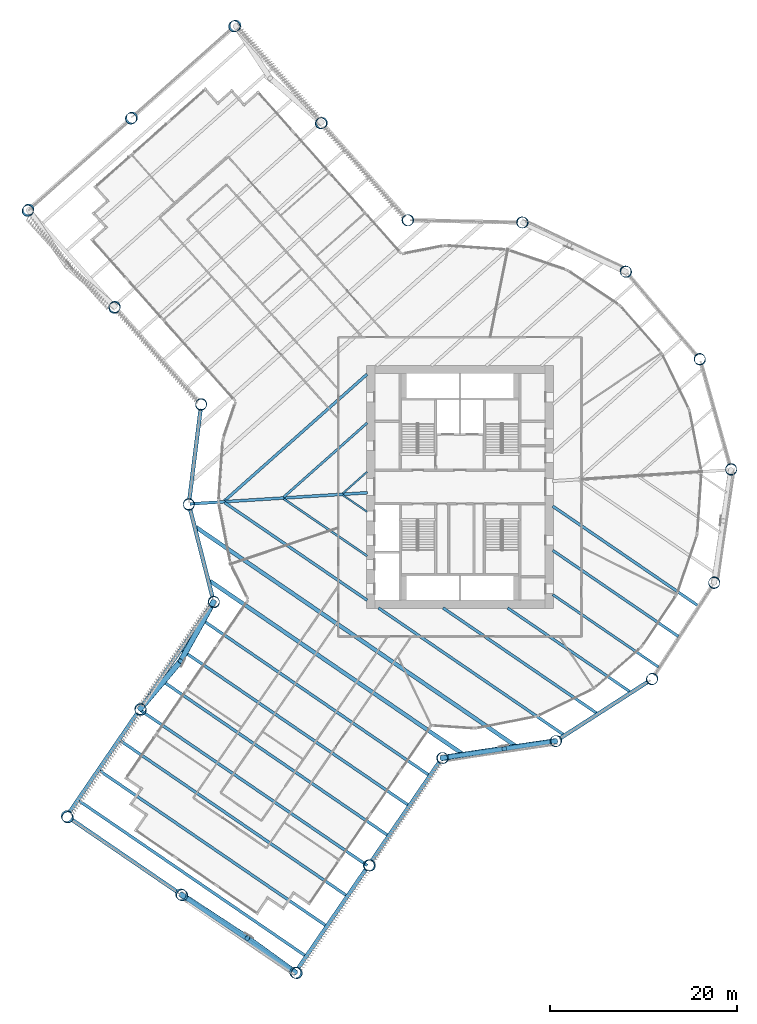
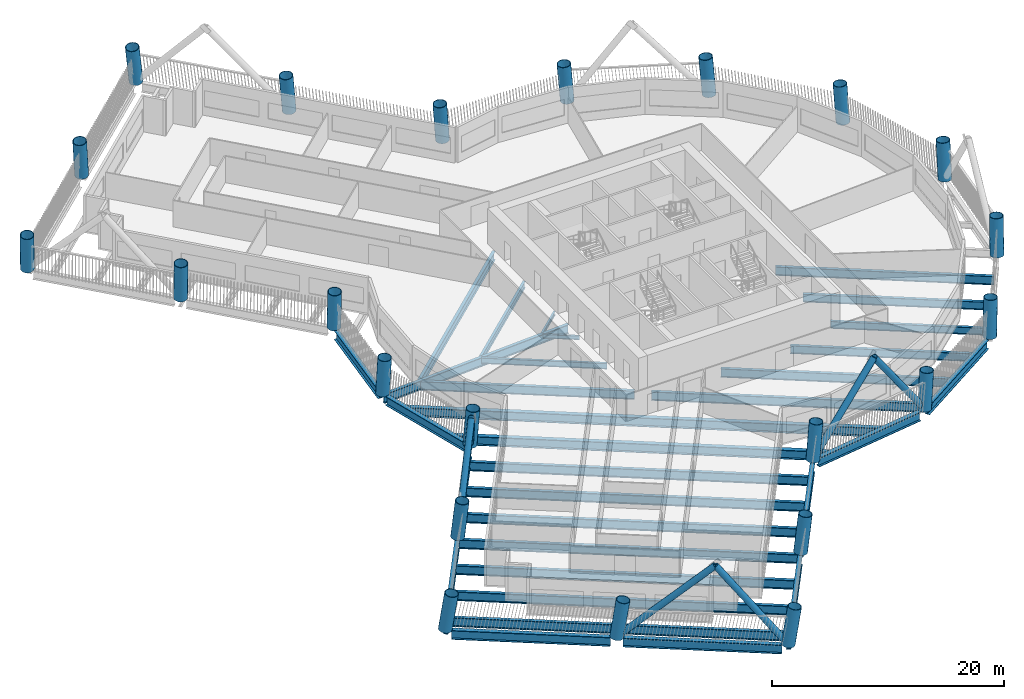
# One storey, part 1 of 22: 32 beams, 22 columns, 6 members.
"""IFC4 building model written with IfcOpenShell, lengths in metres."""

import ifcopenshell
import ifcopenshell.guid

model = None  # the IFC model being written
_history = None  # IfcOwnerHistory: only IFC2X3 demands one
_inside = {}  # id of a spatial element -> (the spatial element, [elements in it])
_under = {}  # id of a project, library or spatial element -> (it, [spatial elements below it])
_declared = {}  # id of a project -> (the project, [libraries it declares])
_typed = {}  # id of a type object -> (the type object, [elements of that type])
_made_of = {}  # id of a material, layer set ... -> (it, [elements and type objects made of it])


def new_model(schema):
    """Start an empty IFC model of exactly this schema.

    Asked for "IFC4X3", IfcOpenShell would pick the latest addendum, in which some entities
    have other attributes; the version numbers below select the first issue.
    IFC2X3 requires an IfcOwnerHistory on every rooted entity: one is made here for all.
    """
    global model, _history
    if schema == "IFC4X3":
        model = ifcopenshell.file(schema_version=(4, 3, 0, 0))
    else:
        model = ifcopenshell.file(schema=schema)
    _inside.clear()
    _under.clear()
    _declared.clear()
    _typed.clear()
    _made_of.clear()
    _history = None
    if model.schema == "IFC2X3":
        org = make("IfcOrganization", Name="unknown")
        user = make(
            "IfcPersonAndOrganization",
            ThePerson=make("IfcPerson", FamilyName="unknown"),
            TheOrganization=org,
        )
        app = make(
            "IfcApplication",
            ApplicationDeveloper=org,
            Version="unknown",
            ApplicationFullName="unknown",
            ApplicationIdentifier="unknown",
        )
        _history = make(
            "IfcOwnerHistory",
            OwningUser=user,
            OwningApplication=app,
            ChangeAction="ADDED",
            CreationDate=0,
        )
    return model


def make(cls, **values):
    """One entity of the class cls with the attributes given. An attribute that is None is left unset."""
    return model.create_entity(
        cls, **{name: value for name, value in values.items() if value is not None}
    )


def rooted(cls, **values):
    """An entity with a GlobalId (a new one), such as an element, a storey or a relation."""
    return make(cls, GlobalId=ifcopenshell.guid.new(), OwnerHistory=_history, **values)


def si_unit(unit_type, name, prefix=None):
    """IfcSIUnit, for example si_unit("LENGTHUNIT", "METRE", prefix="MILLI")."""
    return make("IfcSIUnit", UnitType=unit_type, Prefix=prefix, Name=name)


def assignment(units):
    """IfcUnitAssignment: the units of a project."""
    return None if units is None else make("IfcUnitAssignment", Units=units)


def point(xyz):
    """IfcCartesianPoint."""
    return None if xyz is None else make("IfcCartesianPoint", Coordinates=xyz)


def direction(xyz):
    """IfcDirection."""
    return None if xyz is None else make("IfcDirection", DirectionRatios=xyz)


def frame(location, z_axis=None, x_axis=None):
    """IfcAxis2Placement3D, a coordinate frame: its origin and axes. An axis left out is left unset."""
    return make(
        "IfcAxis2Placement3D",
        Location=point(location),
        Axis=direction(z_axis),
        RefDirection=direction(x_axis),
    )


def frame_2d(location, x_axis=None):
    """IfcAxis2Placement2D, a coordinate frame in the plane: its origin and x axis."""
    return make(
        "IfcAxis2Placement2D", Location=point(location), RefDirection=direction(x_axis)
    )


def origin():
    """The frame at (0, 0, 0) with its axes left unset."""
    return frame((0.0, 0.0, 0.0))


def origin_2d():
    """The frame at (0, 0) in the plane with its x axis left unset."""
    return frame_2d((0.0, 0.0))


def place(relative_to, where):
    """IfcLocalPlacement: puts the frame where relative to a parent placement (None: the world)."""
    return make(
        "IfcLocalPlacement", PlacementRelTo=relative_to, RelativePlacement=where
    )


def context(
    kind, dimensions, precision=None, world=None, true_north=None, identifier=None
):
    """IfcGeometricRepresentationContext, for example the 3D "Model" context."""
    return make(
        "IfcGeometricRepresentationContext",
        ContextIdentifier=identifier,
        ContextType=kind,
        CoordinateSpaceDimension=dimensions,
        Precision=precision,
        WorldCoordinateSystem=world,
        TrueNorth=true_north,
    )


def subcontext(parent, identifier, kind, view, scale=None):
    """IfcGeometricRepresentationSubContext, for example "Body" below "Model"."""
    return make(
        "IfcGeometricRepresentationSubContext",
        ContextIdentifier=identifier,
        ContextType=kind,
        ParentContext=parent,
        TargetScale=scale,
        TargetView=view,
    )


def project(units=None, contexts=None):
    """IfcProject with its units and contexts."""
    return rooted(
        "IfcProject",
        Name="project",
        RepresentationContexts=contexts,
        UnitsInContext=assignment(units),
    )


def spatial(cls, under=None, at=None, **own):
    """A site, building, storey or space (cls), placed at a placement, below another one or the project."""
    s = rooted(cls, ObjectPlacement=at, **own)
    if under is not None:
        _under.setdefault(under.id(), (under, []))[1].append(s)
    return s


def profile(cls, at=None, kind="AREA", **sizes):
    """A parametric profile (cls). Its sizes go by their IFC names, for example OverallWidth=200.0."""
    return make(cls, ProfileType=kind, Position=at, **sizes)


def hollow_circle(**sizes):
    """IfcCircleHollowProfileDef."""
    return profile("IfcCircleHollowProfileDef", **sizes)


def i_section(**sizes):
    """IfcIShapeProfileDef."""
    return profile("IfcIShapeProfileDef", **sizes)


def extrude(swept, where, along, depth):
    """IfcExtrudedAreaSolid: the profile swept, set in the frame where, extruded along a direction by depth."""
    return make(
        "IfcExtrudedAreaSolid",
        SweptArea=swept,
        Position=where,
        ExtrudedDirection=direction(along),
        Depth=depth,
    )


def shape(context_of_items, identifier, shape_type, items):
    """IfcShapeRepresentation: the items that make up one representation, for example the "Body"."""
    return make(
        "IfcShapeRepresentation",
        ContextOfItems=context_of_items,
        RepresentationIdentifier=identifier,
        RepresentationType=shape_type,
        Items=items,
    )


def material(Name=None, Category=None):
    """IfcMaterial."""
    return make("IfcMaterial", Name=Name, Category=Category)


def material_profile(
    of_material, cross_section, Name=None, Category=None, Priority=None
):
    """IfcMaterialProfile: a cross section and its material."""
    return make(
        "IfcMaterialProfile",
        Name=Name,
        Material=of_material,
        Profile=cross_section,
        Priority=Priority,
        Category=Category,
    )


def profile_set(profiles, Name=None, composite=None):
    """IfcMaterialProfileSet."""
    return make(
        "IfcMaterialProfileSet",
        Name=Name,
        MaterialProfiles=profiles,
        CompositeProfile=composite,
    )


def made_of(thing, what):
    """Note that an element or type object is made of a material, layer set ...; save() writes the relation."""
    if what is not None:
        _made_of.setdefault(what.id(), (what, []))[1].append(thing)
    return thing


def type_object(cls, material=None, **own):
    """A type object (cls), such as IfcWallType, which elements share."""
    return made_of(rooted(cls, **own), material)


def element(
    cls,
    number,
    at=None,
    inside=None,
    cuts=None,
    type_object=None,
    material=None,
    context=None,
    identifier="Body",
    shape_type=None,
    held_by="IfcProductDefinitionShape",
    body=None,
    shapes=None,
    **own,
):
    """One element of the class cls, such as IfcWall. Its Tag is "e" and its number.

    at: its placement. inside: the storey or other place that contains it. cuts: it is an
    opening in that element (IfcRelVoidsElement). A single representation is given by context,
    identifier, shape_type and body (its items); several are given by shapes. held_by: the class
    of the entity that holds the representations. save() writes the other relations.
    """
    e = rooted(cls, Tag="e%d" % number, ObjectPlacement=at, **own)
    if body is not None:
        shapes = [shape(context, identifier, shape_type, body)]
    if shapes is not None:
        e.Representation = make(held_by, Representations=shapes)
    if inside is not None:
        _inside.setdefault(inside.id(), (inside, []))[1].append(e)
    if cuts is not None:
        rooted(
            "IfcRelVoidsElement", RelatingBuildingElement=cuts, RelatedOpeningElement=e
        )
    if type_object is not None:
        _typed.setdefault(type_object.id(), (type_object, []))[1].append(e)
    return made_of(e, material)


def aggregate(whole, parts):
    """IfcRelAggregates: a whole, such as a stair, and the parts it consists of."""
    return rooted("IfcRelAggregates", RelatingObject=whole, RelatedObjects=parts)


def save(model, path):
    """Write the relations noted so far, then the file.

    IfcRelAggregates (storeys below a building ...), IfcRelContainedInSpatialStructure (elements
    in a storey), IfcRelDefinesByType, IfcRelAssociatesMaterial and IfcRelDeclares: one each for
    every whole, place, type object, material and project.
    """
    for whole, parts in _under.values():
        aggregate(whole, parts)
    for where, things in _inside.values():
        rooted(
            "IfcRelContainedInSpatialStructure",
            RelatedElements=things,
            RelatingStructure=where,
        )
    for kind, things in _typed.values():
        rooted("IfcRelDefinesByType", RelatedObjects=things, RelatingType=kind)
    for what, things in _made_of.values():
        rooted("IfcRelAssociatesMaterial", RelatedObjects=things, RelatingMaterial=what)
    for by, libraries in _declared.values():
        rooted("IfcRelDeclares", RelatingContext=by, RelatedDefinitions=libraries)
    model.write(path)


model = new_model("IFC4")

# Units and contexts
model_context = context("Model", 3, precision=1e-05, world=origin(), true_north=direction((0.0, 1.0)))
body_context = subcontext(model_context, "Body", "Model", "MODEL_VIEW")
ifc_project = project(units=[si_unit("LENGTHUNIT", "METRE"), si_unit("AREAUNIT", "SQUARE_METRE"), si_unit("VOLUMEUNIT", "CUBIC_METRE"), si_unit("PLANEANGLEUNIT", "RADIAN"), si_unit("MASSUNIT", "GRAM", prefix="KILO")], contexts=[model_context])

# Site, building, storey
site_placement = place(None, origin())
site = spatial("IfcSite", under=ifc_project, at=site_placement, CompositionType="ELEMENT")
building_placement = place(site_placement, origin())
building = spatial("IfcBuilding", under=site, at=building_placement, Name="Tarsis Ring Headquarters", CompositionType="ELEMENT")
storey_placement = place(building_placement, frame((0.0, 0.0, 55.60009765625)))
storey = spatial("IfcBuildingStorey", under=building, at=storey_placement, Name="L11", CompositionType="ELEMENT", Elevation=55.60009765625)

# Columns
ifc_material_1 = material(Name="Structural steel S460", Category="steel")
ifc_material_profile_1 = material_profile(ifc_material_1, hollow_circle(Radius=0.609619140625, WallThickness=0.050048828125, at=origin_2d()), Name="CHS 1219x50")
ifc_profile_set_1 = profile_set([ifc_material_profile_1], Name="Structural steel S460")
column_type = type_object("IfcColumnType", Name="XC Exo column CHS 1219x50", PredefinedType="COLUMN", material=ifc_profile_set_1)
column_1_placement = place(storey_placement, frame((-28.9912109375, -1.823974609375, 0.00048828125), z_axis=(0.005306686196, -0.077602481671, 0.99697025729), x_axis=(0.997670054789, 0.068223615975, 0.0)))
element("IfcColumn", 1, at=column_1_placement, inside=storey, type_object=column_type, Name="Exo column XC1 F1", PredefinedType="COLUMN", context=body_context, shape_type="SweptSolid", body=[
    extrude(hollow_circle(Radius=0.609619140625, WallThickness=0.050048828125, at=origin_2d()), origin(), (0.0, 0.0, 1.0), 3.91064453125),
])
column_2_placement = place(storey_placement, frame((-26.333251953125, -12.2626953125, 0.00048828125), z_axis=(0.033151338274, -0.070298318073, 0.996974992287), x_axis=(0.904472523343, 0.426531891559, 0.0)))
element("IfcColumn", 2, at=column_2_placement, inside=storey, type_object=column_type, Name="Exo column XC1 AK", PredefinedType="COLUMN", context=body_context, shape_type="SweptSolid", body=[
    extrude(hollow_circle(Radius=0.609619140625, WallThickness=0.050048828125, at=origin_2d()), origin(), (0.0, 0.0, 1.0), 3.910400390625),
])
column_3_placement = place(storey_placement, frame((-34.1875, -23.733642578125, 0.000732421875), z_axis=(0.063794027443, -0.090867590309, 0.993817590453), x_axis=(0.818441069353, 0.574590476772, 0.0)))
element("IfcColumn", 3, at=column_3_placement, inside=storey, type_object=column_type, Name="Exo column XC1 AI1", PredefinedType="COLUMN", context=body_context, shape_type="SweptSolid", body=[
    extrude(hollow_circle(Radius=0.609619140625, WallThickness=0.050048828125, at=origin_2d()), origin(), (0.0, 0.0, 1.0), 3.922607421875),
])
column_4_placement = place(storey_placement, frame((-42.041748046875, -35.20458984375, 0.000732421875), z_axis=(0.094057776902, -0.111159190884, 0.989341583522), x_axis=(0.763386285369, 0.645942241466, 0.0)))
element("IfcColumn", 4, at=column_4_placement, inside=storey, type_object=column_type, Name="Exo column XC1 AT1", PredefinedType="COLUMN", context=body_context, shape_type="SweptSolid", body=[
    extrude(hollow_circle(Radius=0.609619140625, WallThickness=0.050048828125, at=origin_2d()), origin(), (0.0, 0.0, 1.0), 3.940185546875),
])
column_5_placement = place(storey_placement, frame((-29.830078125, -43.566162109375, 0.000732421875), z_axis=(0.1162055018, -0.078689851539, 0.990103120193), x_axis=(0.56070159, 0.828017950875, 0.0)))
element("IfcColumn", 5, at=column_5_placement, inside=storey, type_object=column_type, Name="Exo column XC1 AT2", PredefinedType="COLUMN", context=body_context, shape_type="SweptSolid", body=[
    extrude(hollow_circle(Radius=0.609619140625, WallThickness=0.050048828125, at=origin_2d()), origin(), (0.0, 0.0, 1.0), 3.937255859375),
])
column_6_placement = place(storey_placement, frame((-17.618408203125, -51.927490234375, 0.000732421875), z_axis=(0.138173493021, -0.046099138479, 0.989334602275), x_axis=(0.316482982785, 0.948598187647, 0.0)))
element("IfcColumn", 6, at=column_6_placement, inside=storey, type_object=column_type, Name="Exo column XC1 AT3", PredefinedType="COLUMN", context=body_context, shape_type="SweptSolid", body=[
    extrude(hollow_circle(Radius=0.609619140625, WallThickness=0.050048828125, at=origin_2d()), origin(), (0.0, 0.0, 1.0), 3.940185546875),
])
column_7_placement = place(storey_placement, frame((-9.76416015625, -40.45654296875, 0.000732421875), z_axis=(0.108106899886, -0.025517460537, 0.993811731368), x_axis=(0.229726343064, 0.973255263177, 0.0)))
element("IfcColumn", 7, at=column_7_placement, inside=storey, type_object=column_type, Name="Exo column XC1 AO1", PredefinedType="COLUMN", context=body_context, shape_type="SweptSolid", body=[
    extrude(hollow_circle(Radius=0.609619140625, WallThickness=0.050048828125, at=origin_2d()), origin(), (0.0, 0.0, 1.0), 3.922607421875),
])
column_8_placement = place(storey_placement, frame((-1.909912109375, -28.985595703125, 0.00048828125), z_axis=(0.077602700813, -0.004744815174, 0.996973072633), x_axis=(0.06102842972, 0.998136028187, 0.0)))
element("IfcColumn", 8, at=column_8_placement, inside=storey, type_object=column_type, Name="Exo column XC1 AJ", PredefinedType="COLUMN", context=body_context, shape_type="SweptSolid", body=[
    extrude(hollow_circle(Radius=0.609619140625, WallThickness=0.050048828125, at=origin_2d()), origin(), (0.0, 0.0, 1.0), 3.910400390625),
])
column_9_placement = place(storey_placement, frame((10.20751953125, -27.196044921875, 0.00048828125), z_axis=(0.072670419362, 0.027719644499, 0.996970727483), x_axis=(-0.356395846818, 0.934335057873, 0.0)))
element("IfcColumn", 9, at=column_9_placement, inside=storey, type_object=column_type, Name="Exo column XC1 R1", PredefinedType="COLUMN", context=body_context, shape_type="SweptSolid", body=[
    extrude(hollow_circle(Radius=0.609619140625, WallThickness=0.050048828125, at=origin_2d()), origin(), (0.0, 0.0, 1.0), 3.91064453125),
])
for number, where, z_axis, x_axis, name in (
    (10, (20.510009765625, -20.57080078125, 0.00048828125), (0.054752695451, 0.055189718106, 0.996973538945), (-0.709911932136, 0.70429045756, 0.0), "Exo column XC1 R2"),
    (11, (27.165771484375, -10.2880859375, 0.00048828125), (0.0271578084, 0.072857844604, 0.996972511117), (-0.937020294532, 0.349274916985, 0.0), "Exo column XC1 R3"),
):
    element("IfcColumn", number, at=place(storey_placement, frame(where, z_axis=z_axis, x_axis=x_axis)), inside=storey, type_object=column_type, Name=name, PredefinedType="COLUMN", context=body_context, shape_type="SweptSolid", body=[
        extrude(hollow_circle(Radius=0.609619140625, WallThickness=0.050048828125, at=origin_2d()), origin(), (0.0, 0.0, 1.0), 3.910400390625),
    ])
column_10_placement = place(storey_placement, frame((28.9912109375, 1.823974609375, 0.00048828125), z_axis=(-0.005306686196, 0.077602481671, 0.99697025729), x_axis=(-0.997670054789, -0.068223615975, 0.0)))
element("IfcColumn", 12, at=column_10_placement, inside=storey, type_object=column_type, Name="Exo column XC1 R4", PredefinedType="COLUMN", context=body_context, shape_type="SweptSolid", body=[
    extrude(hollow_circle(Radius=0.609619140625, WallThickness=0.050048828125, at=origin_2d()), origin(), (0.0, 0.0, 1.0), 3.91064453125),
])
column_11_placement = place(storey_placement, frame((25.661865234375, 13.61181640625, 0.00048828125), z_axis=(-0.036772353076, 0.068487727205, 0.996974034402), x_axis=(-0.8810378209, -0.473045830912, 0.0)))
element("IfcColumn", 13, at=column_11_placement, inside=storey, type_object=column_type, Name="Exo column XC1 R5", PredefinedType="COLUMN", context=body_context, shape_type="SweptSolid", body=[
    extrude(hollow_circle(Radius=0.609619140625, WallThickness=0.050048828125, at=origin_2d()), origin(), (0.0, 0.0, 1.0), 3.910400390625),
])
column_12_placement = place(storey_placement, frame((17.77001953125, 22.979248046875, 0.00048828125), z_axis=(-0.061807180891, 0.047260642358, 0.996968557214), x_axis=(-0.607420323565, -0.794380608097, 0.0)))
element("IfcColumn", 14, at=column_12_placement, inside=storey, type_object=column_type, Name="Exo column XC1 R6", PredefinedType="COLUMN", context=body_context, shape_type="SweptSolid", body=[
    extrude(hollow_circle(Radius=0.609619140625, WallThickness=0.050048828125, at=origin_2d()), origin(), (0.0, 0.0, 1.0), 3.91064453125),
])
for number, where, z_axis, x_axis, name in (
    (15, (6.71826171875, 28.260986328125, 0.00048828125), (-0.075729737419, 0.017605759235, 0.996972940512), (-0.226442630056, -0.974024504462, 0.0), "Exo column XC1 R7"),
    (16, (-5.52783203125, 28.517822265625, 0.00048828125), (-0.076229268239, -0.015233367281, 0.996973943082), (0.195961686232, -0.980611552823, 0.0), "Exo column XC1 BJ"),
):
    element("IfcColumn", number, at=place(storey_placement, frame(where, z_axis=z_axis, x_axis=x_axis)), inside=storey, type_object=column_type, Name=name, PredefinedType="COLUMN", context=body_context, shape_type="SweptSolid", body=[
        extrude(hollow_circle(Radius=0.609619140625, WallThickness=0.050048828125, at=origin_2d()), origin(), (0.0, 0.0, 1.0), 3.910400390625),
    ])
column_13_placement = place(storey_placement, frame((-14.7578125, 38.913818359375, 0.000732421875), z_axis=(-0.103687530369, -0.039956419266, 0.993807013763), x_axis=(0.359579516774, -0.933114446955, 0.0)))
element("IfcColumn", 17, at=column_13_placement, inside=storey, type_object=column_type, Name="Exo column XC1 BO1", PredefinedType="COLUMN", context=body_context, shape_type="SweptSolid", body=[
    extrude(hollow_circle(Radius=0.609619140625, WallThickness=0.050048828125, at=origin_2d()), origin(), (0.0, 0.0, 1.0), 3.9228515625),
])
column_14_placement = place(storey_placement, frame((-23.988037109375, 49.309814453125, 0.000732421875), z_axis=(-0.13067542308, -0.064439279281, 0.989328819498), x_axis=(0.442273740347, -0.896880113839, 0.0)))
element("IfcColumn", 18, at=column_14_placement, inside=storey, type_object=column_type, Name="Exo column XC1 BT3", PredefinedType="COLUMN", context=body_context, shape_type="SweptSolid", body=[
    extrude(hollow_circle(Radius=0.609619140625, WallThickness=0.050048828125, at=origin_2d()), origin(), (0.0, 0.0, 1.0), 3.940185546875),
])
column_15_placement = place(storey_placement, frame((-35.055419921875, 39.483642578125, 0.000732421875), z_axis=(-0.10448510752, -0.093757556422, 0.990097158324), x_axis=(0.667865826964, -0.744281692086, 0.0)))
element("IfcColumn", 19, at=column_15_placement, inside=storey, type_object=column_type, Name="Exo column XC1 BT2", PredefinedType="COLUMN", context=body_context, shape_type="SweptSolid", body=[
    extrude(hollow_circle(Radius=0.609619140625, WallThickness=0.050048828125, at=origin_2d()), origin(), (0.0, 0.0, 1.0), 3.937255859375),
])
column_16_placement = place(storey_placement, frame((-46.122802734375, 29.657470703125, 0.000732421875), z_axis=(-0.078133091674, -0.122931049866, 0.989334714323), x_axis=(0.843959125807, -0.536407488731, 0.0)))
element("IfcColumn", 20, at=column_16_placement, inside=storey, type_object=column_type, Name="Exo column XC1 BT1", PredefinedType="COLUMN", context=body_context, shape_type="SweptSolid", body=[
    extrude(hollow_circle(Radius=0.609619140625, WallThickness=0.050048828125, at=origin_2d()), origin(), (0.0, 0.0, 1.0), 3.940185546875),
])
column_17_placement = place(storey_placement, frame((-36.892578125, 19.261474609375, 0.000732421875), z_axis=(-0.05091051951, -0.098709149075, 0.993813173032), x_axis=(0.888753231023, -0.458385966568, 0.0)))
element("IfcColumn", 21, at=column_17_placement, inside=storey, type_object=column_type, Name="Exo column XC1 BI1", PredefinedType="COLUMN", context=body_context, shape_type="SweptSolid", body=[
    extrude(hollow_circle(Radius=0.609619140625, WallThickness=0.050048828125, at=origin_2d()), origin(), (0.0, 0.0, 1.0), 3.922607421875),
])
column_18_placement = place(storey_placement, frame((-27.66259765625, 8.865478515625, 0.00048828125), z_axis=(-0.023349467226, -0.074168895894, 0.996972305163), x_axis=(0.953849250739, -0.300285875233, 0.0)))
element("IfcColumn", 22, at=column_18_placement, inside=storey, type_object=column_type, Name="Exo column XC1 BK", PredefinedType="COLUMN", context=body_context, shape_type="SweptSolid", body=[
    extrude(hollow_circle(Radius=0.609619140625, WallThickness=0.050048828125, at=origin_2d()), origin(), (0.0, 0.0, 1.0), 3.910400390625),
])

# Beams
ifc_material_2 = material(Name="Structural steel S355", Category="steel")
ifc_material_profile_2 = material_profile(ifc_material_2, i_section(OverallWidth=0.177734375, OverallDepth=0.406494140625, WebThickness=0.0078125, FlangeThickness=0.0126953125, at=origin_2d()), Name="W16x40")
ifc_profile_set_2 = profile_set([ifc_material_profile_2], Name="Structural steel S355")
beam_type_1 = type_object("IfcBeamType", Name="FB Floor beam W16x40", PredefinedType="JOIST", material=ifc_profile_set_2)
beam_1_placement = place(storey_placement, frame((-12.51904296875, -0.881103515625, -0.36328125), z_axis=(0.825088789879, -0.565003087439, 0.0), x_axis=(0.565003087439, 0.825088789879, 0.0)))
element("IfcBeam", 23, at=beam_1_placement, inside=storey, type_object=beam_type_1, Name="Floor beam FB1", PredefinedType="JOIST", context=body_context, shape_type="SweptSolid", body=[
    extrude(i_section(OverallWidth=0.177734375, OverallDepth=0.406494140625, WebThickness=0.0078125, FlangeThickness=0.0126953125, at=origin_2d()), origin(), (0.0, 0.0, 1.0), 3.153076171875),
])
beam_2_placement = place(storey_placement, frame((-9.92529296875, 1.61865234375, -0.36328125), z_axis=(-0.747764866696, -0.663963631636, 0.0), x_axis=(0.663963631636, -0.747764866696, 0.0)))
element("IfcBeam", 24, at=beam_2_placement, inside=storey, type_object=beam_type_1, Name="Floor beam FB1", PredefinedType="JOIST", context=body_context, shape_type="SweptSolid", body=[
    extrude(i_section(OverallWidth=0.177734375, OverallDepth=0.406494140625, WebThickness=0.0078125, FlangeThickness=0.0126953125, at=origin_2d()), origin(), (0.0, 0.0, 1.0), 3.484375),
])
ifc_material_profile_3 = material_profile(ifc_material_2, i_section(OverallWidth=0.228271484375, OverallDepth=0.607177734375, WebThickness=0.01123046875, FlangeThickness=0.017333984375, at=origin_2d()), Name="W24x76")
ifc_profile_set_3 = profile_set([ifc_material_profile_3], Name="Structural steel S355")
beam_type_2 = type_object("IfcBeamType", Name="FB Floor beam W24x76", PredefinedType="JOIST", material=ifc_profile_set_3)
beam_3_placement = place(storey_placement, frame((-18.84130859375, -1.279052734375, -0.463623046875), z_axis=(0.825120619611, -0.56495660284, 0.0), x_axis=(0.56495660284, 0.825120619611, 0.0)))
element("IfcBeam", 25, at=beam_3_placement, inside=storey, type_object=beam_type_2, Name="Floor beam FB4", PredefinedType="JOIST", context=body_context, shape_type="SweptSolid", body=[
    extrude(i_section(OverallWidth=0.228271484375, OverallDepth=0.607177734375, WebThickness=0.01123046875, FlangeThickness=0.017333984375, at=origin_2d()), origin(), (0.0, 0.0, 1.0), 10.815185546875),
])
ifc_material_profile_4 = material_profile(ifc_material_2, i_section(OverallWidth=0.2529296875, OverallDepth=0.67822265625, WebThickness=0.01171875, FlangeThickness=0.016357421875, at=origin_2d()), Name="W27x84")
ifc_profile_set_4 = profile_set([ifc_material_profile_4], Name="Structural steel S355")
beam_type_3 = type_object("IfcBeamType", Name="FB Floor beam W27x84", PredefinedType="JOIST", material=ifc_profile_set_4)
beam_4_placement = place(storey_placement, frame((-9.92529296875, 6.833984375, -0.499267578125), z_axis=(-0.747793924278, -0.66393090515, 0.0), x_axis=(0.66393090515, -0.747793924278, 0.0)))
element("IfcBeam", 26, at=beam_4_placement, inside=storey, type_object=beam_type_3, Name="Floor beam FB5", PredefinedType="JOIST", context=body_context, shape_type="SweptSolid", body=[
    extrude(i_section(OverallWidth=0.2529296875, OverallDepth=0.67822265625, WebThickness=0.01171875, FlangeThickness=0.016357421875, at=origin_2d()), origin(), (0.0, 0.0, 1.0), 11.938720703125),
])
ifc_material_profile_5 = material_profile(ifc_material_2, i_section(OverallWidth=0.2666015625, OverallDepth=0.7568359375, WebThickness=0.013916015625, FlangeThickness=0.019287109375, at=origin_2d()), Name="W30x108")
ifc_profile_set_5 = profile_set([ifc_material_profile_5], Name="Structural steel S355")
beam_type_4 = type_object("IfcBeamType", Name="FB Floor beam W30x108", PredefinedType="JOIST", material=ifc_profile_set_5)
beam_5_placement = place(storey_placement, frame((9.91748046875, -11.517333984375, -0.53857421875), z_axis=(0.825115384019, -0.564964249361, 0.0), x_axis=(0.564964249361, 0.825115384019, 0.0)))
element("IfcBeam", 27, at=beam_5_placement, inside=storey, type_object=beam_type_4, Name="Floor beam FB6", PredefinedType="JOIST", context=body_context, shape_type="SweptSolid", body=[
    extrude(i_section(OverallWidth=0.2666015625, OverallDepth=0.7568359375, WebThickness=0.013916015625, FlangeThickness=0.019287109375, at=origin_2d()), origin(), (0.0, 0.0, 1.0), 13.704345703125),
])
ifc_material_profile_6 = material_profile(ifc_material_2, i_section(OverallWidth=0.2919921875, OverallDepth=0.835693359375, WebThickness=0.013916015625, FlangeThickness=0.018798828125, at=origin_2d()), Name="W33x118")
ifc_profile_set_6 = profile_set([ifc_material_profile_6], Name="Structural steel S355")
beam_type_5 = type_object("IfcBeamType", Name="FB Floor beam W33x118", PredefinedType="JOIST", material=ifc_profile_set_6)
beam_6_placement = place(storey_placement, frame((9.91748046875, -6.79052734375, -0.577880859375), z_axis=(0.825110709644, -0.564971076101, 0.0), x_axis=(0.564971076101, 0.825110709644, 0.0)))
element("IfcBeam", 28, at=beam_6_placement, inside=storey, type_object=beam_type_5, Name="Floor beam FB7", PredefinedType="JOIST", context=body_context, shape_type="SweptSolid", body=[
    extrude(i_section(OverallWidth=0.2919921875, OverallDepth=0.835693359375, WebThickness=0.013916015625, FlangeThickness=0.018798828125, at=origin_2d()), origin(), (0.0, 0.0, 1.0), 16.273681640625),
])
beam_7_placement = place(storey_placement, frame((5.097412109375, -12.943603515625, -0.577880859375), z_axis=(0.825117137049, -0.564961689098, 0.0), x_axis=(0.564961689098, 0.825117137049, 0.0)))
element("IfcBeam", 29, at=beam_7_placement, inside=storey, type_object=beam_type_5, Name="Floor beam FB7", PredefinedType="JOIST", context=body_context, shape_type="SweptSolid", body=[
    extrude(i_section(OverallWidth=0.2919921875, OverallDepth=0.835693359375, WebThickness=0.013916015625, FlangeThickness=0.018798828125, at=origin_2d()), origin(), (0.0, 0.0, 1.0), 15.87841796875),
])
ifc_material_profile_7 = material_profile(ifc_material_2, i_section(OverallWidth=0.3046875, OverallDepth=0.904296875, WebThickness=0.01513671875, FlangeThickness=0.02001953125, at=origin_2d()), Name="W36x135")
ifc_profile_set_7 = profile_set([ifc_material_profile_7], Name="Structural steel S355")
beam_type_6 = type_object("IfcBeamType", Name="FB Floor beam W36x135", PredefinedType="JOIST", material=ifc_profile_set_7)
beam_8_placement = place(storey_placement, frame((9.91748046875, -2.06396484375, -0.6123046875), z_axis=(0.825113349922, -0.564967220094, 0.0), x_axis=(0.564967220094, 0.825113349922, 0.0)))
element("IfcBeam", 30, at=beam_8_placement, inside=storey, type_object=beam_type_6, Name="Floor beam FB8", PredefinedType="JOIST", context=body_context, shape_type="SweptSolid", body=[
    extrude(i_section(OverallWidth=0.3046875, OverallDepth=0.904296875, WebThickness=0.01513671875, FlangeThickness=0.02001953125, at=origin_2d()), origin(), (0.0, 0.0, 1.0), 18.8427734375),
])
beam_9_placement = place(storey_placement, frame((-1.8056640625, -12.943603515625, -0.6123046875), z_axis=(0.825113413587, -0.564967127113, 0.0), x_axis=(0.564967127113, 0.825113413587, 0.0)))
element("IfcBeam", 31, at=beam_9_placement, inside=storey, type_object=beam_type_6, Name="Floor beam FB8", PredefinedType="JOIST", context=body_context, shape_type="SweptSolid", body=[
    extrude(i_section(OverallWidth=0.3046875, OverallDepth=0.904296875, WebThickness=0.01513671875, FlangeThickness=0.02001953125, at=origin_2d()), origin(), (0.0, 0.0, 1.0), 19.930419921875),
])
beam_10_placement = place(storey_placement, frame((-25.163330078125, -1.6767578125, -0.6123046875), z_axis=(0.825115674328, -0.564963825371, 0.0), x_axis=(0.564963825371, 0.825115674328, 0.0)))
element("IfcBeam", 32, at=beam_10_placement, inside=storey, type_object=beam_type_6, Name="Floor beam FB8", PredefinedType="JOIST", context=body_context, shape_type="SweptSolid", body=[
    extrude(i_section(OverallWidth=0.3046875, OverallDepth=0.904296875, WebThickness=0.01513671875, FlangeThickness=0.02001953125, at=origin_2d()), origin(), (0.0, 0.0, 1.0), 18.477294921875),
])
beam_11_placement = place(storey_placement, frame((-9.92529296875, 12.04931640625, -0.6123046875), z_axis=(-0.74779888886, -0.663925313435, 0.0), x_axis=(0.663925313435, -0.74779888886, 0.0)))
element("IfcBeam", 33, at=beam_11_placement, inside=storey, type_object=beam_type_6, Name="Floor beam FB8", PredefinedType="JOIST", context=body_context, shape_type="SweptSolid", body=[
    extrude(i_section(OverallWidth=0.3046875, OverallDepth=0.904296875, WebThickness=0.01513671875, FlangeThickness=0.02001953125, at=origin_2d()), origin(), (0.0, 0.0, 1.0), 20.39306640625),
])
ifc_material_profile_8 = material_profile(ifc_material_2, i_section(OverallWidth=0.3046875, OverallDepth=0.91943359375, WebThickness=0.017333984375, FlangeThickness=0.02783203125, at=origin_2d()), Name="W36x170")
ifc_profile_set_8 = profile_set([ifc_material_profile_8], Name="Structural steel S355")
beam_type_7 = type_object("IfcBeamType", Name="FB Floor beam W36x170", PredefinedType="JOIST", material=ifc_profile_set_8)
beam_12_placement = place(storey_placement, frame((-8.708740234375, -12.943603515625, -0.619873046875), z_axis=(0.825115693859, -0.564963796847, 0.0), x_axis=(0.564963796847, 0.825115693859, 0.0)))
element("IfcBeam", 34, at=beam_12_placement, inside=storey, type_object=beam_type_7, Name="Floor beam FB9", PredefinedType="JOIST", context=body_context, shape_type="SweptSolid", body=[
    extrude(i_section(OverallWidth=0.3046875, OverallDepth=0.91943359375, WebThickness=0.017333984375, FlangeThickness=0.02783203125, at=origin_2d()), origin(), (0.0, 0.0, 1.0), 23.982177734375),
])
ifc_material_profile_9 = material_profile(ifc_material_2, i_section(OverallWidth=0.309814453125, OverallDepth=0.949951171875, WebThickness=0.0244140625, FlangeThickness=0.0439453125, at=origin_2d()), Name="W36x256")
ifc_profile_set_9 = profile_set([ifc_material_profile_9], Name="Structural steel S355")
beam_type_8 = type_object("IfcBeamType", Name="FB Floor beam W36x256", PredefinedType="JOIST", material=ifc_profile_set_9)
for number, where, z_axis, x_axis, name in (
    (35, (-27.542724609375, -14.2275390625, -0.635009765625), (0.825115182593, -0.564964543537, 0.0), (0.564964543537, 0.825115182593, 0.0), "Floor beam FB11"),
    (36, (-29.74609375, -17.4453125, -0.635009765625), (0.825111308334, -0.564970201745, 0.0), (0.564970201745, 0.825111308334, 0.0), "Floor beam FB11"),
    (37, (-31.949462890625, -20.663330078125, -0.635009765625), (0.825111308334, -0.564970201745, 0.0), (0.564970201745, 0.825111308334, 0.0), "Floor beam FB11"),
    (38, (-34.15283203125, -23.88134765625, -0.635009765625), (0.825115182593, -0.564964543537, 0.0), (0.564964543537, 0.825115182593, 0.0), "Floor beam FB11"),
    (39, (-36.356201171875, -27.09912109375, -0.635009765625), (0.825111308334, -0.564970201745, 0.0), (0.564970201745, 0.825111308334, 0.0), "Floor beam FB11"),
    (40, (-38.5595703125, -30.317138671875, -0.635009765625), (0.825111308334, -0.564970201745, 0.0), (0.564970201745, 0.825111308334, 0.0), "Floor beam FB11"),
    (41, (-40.762939453125, -33.53515625, -0.635009765625), (0.825115182593, -0.564964543537, 0.0), (0.564964543537, 0.825115182593, 0.0), "Floor beam FB11"),
):
    element("IfcBeam", number, at=place(storey_placement, frame(where, z_axis=z_axis, x_axis=x_axis)), inside=storey, type_object=beam_type_8, Name=name, PredefinedType="JOIST", context=body_context, shape_type="SweptSolid", body=[
        extrude(i_section(OverallWidth=0.309814453125, OverallDepth=0.949951171875, WebThickness=0.0244140625, FlangeThickness=0.0439453125, at=origin_2d()), origin(), (0.0, 0.0, 1.0), 29.375732421875),
    ])
beam_type_9 = type_object("IfcBeamType", Name="FB Floor beam W36x256 spine", PredefinedType="BEAM", material=ifc_profile_set_9)
beam_13_placement = place(storey_placement, frame((-9.900146484375, -0.622802734375, -0.635009765625), z_axis=(-0.998026661383, -0.06279158517, 0.0), x_axis=(0.06279158517, -0.998026661383, 0.0)))
element("IfcBeam", 42, at=beam_13_placement, inside=storey, type_object=beam_type_9, Name="Floor beam SB11", PredefinedType="BEAM", context=body_context, shape_type="SweptSolid", body=[
    extrude(i_section(OverallWidth=0.309814453125, OverallDepth=0.949951171875, WebThickness=0.0244140625, FlangeThickness=0.0439453125, at=origin_2d()), origin(), (0.0, 0.0, 1.0), 19.012939453125),
])
ifc_material_profile_10 = material_profile(ifc_material_2, i_section(OverallWidth=0.42431640625, OverallDepth=0.947509765625, WebThickness=0.02392578125, FlangeThickness=0.042724609375, at=origin_2d()), Name="W36x302")
ifc_profile_set_10 = profile_set([ifc_material_profile_10], Name="Structural steel S355")
beam_type_10 = type_object("IfcBeamType", Name="FB Floor beam W36x302", PredefinedType="JOIST", material=ifc_profile_set_10)
beam_14_placement = place(storey_placement, frame((-28.20458984375, -4.321044921875, -0.6337890625), z_axis=(0.825113455631, -0.56496706571, 0.0), x_axis=(0.56496706571, 0.825113455631, 0.0)))
element("IfcBeam", 43, at=beam_14_placement, inside=storey, type_object=beam_type_10, Name="Floor beam FB12", PredefinedType="JOIST", context=body_context, shape_type="SweptSolid", body=[
    extrude(i_section(OverallWidth=0.42431640625, OverallDepth=0.947509765625, WebThickness=0.02392578125, FlangeThickness=0.042724609375, at=origin_2d()), origin(), (0.0, 0.0, 1.0), 41.35302734375),
])
beam_15_placement = place(storey_placement, frame((-26.7470703125, -10.045654296875, -0.6337890625), z_axis=(0.825114038448, -0.564966214526, 0.0), x_axis=(0.564966214526, 0.825114038448, 0.0)))
element("IfcBeam", 44, at=beam_15_placement, inside=storey, type_object=beam_type_10, Name="Floor beam FB12", PredefinedType="JOIST", context=body_context, shape_type="SweptSolid", body=[
    extrude(i_section(OverallWidth=0.42431640625, OverallDepth=0.947509765625, WebThickness=0.02392578125, FlangeThickness=0.042724609375, at=origin_2d()), origin(), (0.0, 0.0, 1.0), 32.70458984375),
])

# Members
ifc_material_profile_11 = material_profile(ifc_material_2, hollow_circle(Radius=0.3046875, WallThickness=0.02490234375, at=origin_2d()), Name="CHS 610x25")
ifc_profile_set_11 = profile_set([ifc_material_profile_11], Name="Structural steel S355")
member_type = type_object("IfcMemberType", Name="XD X brace CHS 610x25", PredefinedType="BRACE", material=ifc_profile_set_11)
member_1_placement = place(storey_placement, frame((-26.333251953125, -12.2626953125, 0.0), z_axis=(-0.332027685828, -0.596391720628, 0.730804030784), x_axis=(0.873722219689, -0.486425207839, 0.0)))
element("IfcMember", 45, at=member_1_placement, inside=storey, type_object=member_type, Name="X brace XD1", PredefinedType="BRACE", context=body_context, shape_type="SweptSolid", body=[
    extrude(hollow_circle(Radius=0.3046875, WallThickness=0.02490234375, at=origin_2d()), origin(), (0.0, 0.0, 1.0), 10.6728515625),
])
member_2_placement = place(storey_placement, frame((-34.187744140625, -23.733642578125, 0.0), z_axis=(0.419715566382, 0.497112286331, 0.759419658763), x_axis=(-0.764081542242, 0.645119676343, 0.0)))
element("IfcMember", 46, at=member_2_placement, inside=storey, type_object=member_type, Name="X brace XD1", PredefinedType="BRACE", context=body_context, shape_type="SweptSolid", body=[
    extrude(hollow_circle(Radius=0.3046875, WallThickness=0.02490234375, at=origin_2d()), origin(), (0.0, 0.0, 1.0), 10.270751953125),
])
member_3_placement = place(storey_placement, frame((-29.830322265625, -43.56591796875, 0.0), z_axis=(0.616174853809, -0.404415651467, 0.675852447197), x_axis=(0.548704715544, 0.836016228993, 0.0)))
element("IfcMember", 47, at=member_3_placement, inside=storey, type_object=member_type, Name="X brace XD1", PredefinedType="BRACE", context=body_context, shape_type="SweptSolid", body=[
    extrude(hollow_circle(Radius=0.3046875, WallThickness=0.02490234375, at=origin_2d()), origin(), (0.0, 0.0, 1.0), 11.540771484375),
])
member_4_placement = place(storey_placement, frame((-17.61865234375, -51.927490234375, 0.0), z_axis=(-0.508785556239, 0.368511537287, 0.778033742616), x_axis=(-0.586593991613, -0.809881157334, 0.0)))
element("IfcMember", 48, at=member_4_placement, inside=storey, type_object=member_type, Name="X brace XD1", PredefinedType="BRACE", context=body_context, shape_type="SweptSolid", body=[
    extrude(hollow_circle(Radius=0.3046875, WallThickness=0.02490234375, at=origin_2d()), origin(), (0.0, 0.0, 1.0), 10.02490234375),
])
member_5_placement = place(storey_placement, frame((-1.909912109375, -28.985595703125, 0.0), z_axis=(0.645571165287, 0.095951103326, 0.757648504467), x_axis=(-0.147014816598, 0.989134290024, 0.0)))
element("IfcMember", 49, at=member_5_placement, inside=storey, type_object=member_type, Name="X brace XD1", PredefinedType="BRACE", context=body_context, shape_type="SweptSolid", body=[
    extrude(hollow_circle(Radius=0.3046875, WallThickness=0.02490234375, at=origin_2d()), origin(), (0.0, 0.0, 1.0), 10.294677734375),
])
member_6_placement = place(storey_placement, frame((10.20751953125, -27.196044921875, 0.0), z_axis=(-0.572254594256, -0.083855432044, 0.81577751003), x_axis=(0.14498683201, -0.989433584706, 0.0)))
element("IfcMember", 50, at=member_6_placement, inside=storey, type_object=member_type, Name="X brace XD1", PredefinedType="BRACE", context=body_context, shape_type="SweptSolid", body=[
    extrude(hollow_circle(Radius=0.3046875, WallThickness=0.02490234375, at=origin_2d()), origin(), (0.0, 0.0, 1.0), 9.561279296875),
])

# Beams
beam_type_11 = type_object("IfcBeamType", Name="XG Ring girder W36x302", PredefinedType="BEAM", material=ifc_profile_set_10)
beam_16_placement = place(storey_placement, frame((-28.855712890625, -2.355712890625, -0.473876953125), z_axis=(0.246731420897, -0.969083900363, 0.0), x_axis=(0.969083900363, 0.246731420897, 0.0)))
element("IfcBeam", 51, at=beam_16_placement, inside=storey, type_object=beam_type_11, Name="Ring girder XG1", PredefinedType="BEAM", context=body_context, shape_type="SweptSolid", body=[
    extrude(i_section(OverallWidth=0.42431640625, OverallDepth=0.947509765625, WebThickness=0.02392578125, FlangeThickness=0.042724609375, at=origin_2d()), origin(), (0.0, 0.0, 1.0), 9.67431640625),
])
for number, where, z_axis, x_axis, name in (
    (52, (-26.643310546875, -12.71533203125, -0.473876953125), (-0.564970954319, -0.825110793031, 0.0), (0.825110793031, -0.564970954319, 0.0), "Ring girder XG1"),
    (53, (-34.49755859375, -24.186279296875, -0.473876953125), (-0.564970954319, -0.825110793031, 0.0), (0.825110793031, -0.564970954319, 0.0), "Ring girder XG1"),
):
    element("IfcBeam", number, at=place(storey_placement, frame(where, z_axis=z_axis, x_axis=x_axis)), inside=storey, type_object=beam_type_11, Name=name, PredefinedType="BEAM", context=body_context, shape_type="SweptSolid", body=[
        extrude(i_section(OverallWidth=0.42431640625, OverallDepth=0.947509765625, WebThickness=0.02392578125, FlangeThickness=0.042724609375, at=origin_2d()), origin(), (0.0, 0.0, 1.0), 12.804931640625),
    ])
beam_17_placement = place(storey_placement, frame((-41.58935546875, -35.514404296875, -0.473876953125), z_axis=(0.825111866245, -0.564969386941, 0.0), x_axis=(0.564969386941, 0.825111866245, 0.0)))
element("IfcBeam", 54, at=beam_17_placement, inside=storey, type_object=beam_type_11, Name="Ring girder XG1", PredefinedType="BEAM", context=body_context, shape_type="SweptSolid", body=[
    extrude(i_section(OverallWidth=0.42431640625, OverallDepth=0.947509765625, WebThickness=0.02392578125, FlangeThickness=0.042724609375, at=origin_2d()), origin(), (0.0, 0.0, 1.0), 13.702880859375),
])
beam_18_placement = place(storey_placement, frame((-29.377685546875, -43.8759765625, -0.473876953125), z_axis=(0.825120171752, -0.564957256939, 0.0), x_axis=(0.564957256939, 0.825120171752, 0.0)))
element("IfcBeam", 55, at=beam_18_placement, inside=storey, type_object=beam_type_11, Name="Ring girder XG1", PredefinedType="BEAM", context=body_context, shape_type="SweptSolid", body=[
    extrude(i_section(OverallWidth=0.42431640625, OverallDepth=0.947509765625, WebThickness=0.02392578125, FlangeThickness=0.042724609375, at=origin_2d()), origin(), (0.0, 0.0, 1.0), 13.70263671875),
])
for number, where, z_axis, x_axis, name in (
    (56, (-17.30859375, -51.474853515625, -0.473876953125), (0.564962066436, 0.825116878683, 0.0), (-0.825116878683, 0.564962066436, 0.0), "Ring girder XG1"),
    (57, (-9.454345703125, -40.00390625, -0.473876953125), (0.564962066436, 0.825116878683, 0.0), (-0.825116878683, 0.564962066436, 0.0), "Ring girder XG1"),
):
    element("IfcBeam", number, at=place(storey_placement, frame(where, z_axis=z_axis, x_axis=x_axis)), inside=storey, type_object=beam_type_11, Name=name, PredefinedType="BEAM", context=body_context, shape_type="SweptSolid", body=[
        extrude(i_section(OverallWidth=0.42431640625, OverallDepth=0.947509765625, WebThickness=0.02392578125, FlangeThickness=0.042724609375, at=origin_2d()), origin(), (0.0, 0.0, 1.0), 12.80517578125),
    ])
beam_19_placement = place(storey_placement, frame((-1.3671875, -28.905517578125, -0.473876953125), z_axis=(0.989268015851, 0.146112261, 0.0), x_axis=(-0.146112261, 0.989268015851, 0.0)))
element("IfcBeam", 58, at=beam_19_placement, inside=storey, type_object=beam_type_11, Name="Ring girder XG1", PredefinedType="BEAM", context=body_context, shape_type="SweptSolid", body=[
    extrude(i_section(OverallWidth=0.42431640625, OverallDepth=0.947509765625, WebThickness=0.02392578125, FlangeThickness=0.042724609375, at=origin_2d()), origin(), (0.0, 0.0, 1.0), 11.151611328125),
])
beam_20_placement = place(storey_placement, frame((10.6689453125, -26.899169921875, -0.473876953125), z_axis=(0.841101642302, 0.540877090767, 0.0), x_axis=(-0.540877090767, 0.841101642302, 0.0)))
element("IfcBeam", 59, at=beam_20_placement, inside=storey, type_object=beam_type_11, Name="Ring girder XG1", PredefinedType="BEAM", context=body_context, shape_type="SweptSolid", body=[
    extrude(i_section(OverallWidth=0.42431640625, OverallDepth=0.947509765625, WebThickness=0.02392578125, FlangeThickness=0.042724609375, at=origin_2d()), origin(), (0.0, 0.0, 1.0), 11.1513671875),
])
beam_21_placement = place(storey_placement, frame((-27.730224609375, 8.321044921875, -0.473876953125), z_axis=(-0.123351403938, -0.992363054102, 0.0), x_axis=(0.992363054102, -0.123351403938, 0.0)))
element("IfcBeam", 60, at=beam_21_placement, inside=storey, type_object=beam_type_11, Name="Ring girder XG1", PredefinedType="BEAM", context=body_context, shape_type="SweptSolid", body=[
    extrude(i_section(OverallWidth=0.42431640625, OverallDepth=0.947509765625, WebThickness=0.02392578125, FlangeThickness=0.042724609375, at=origin_2d()), origin(), (0.0, 0.0, 1.0), 9.674560546875),
])

save(model, "model.ifc")
